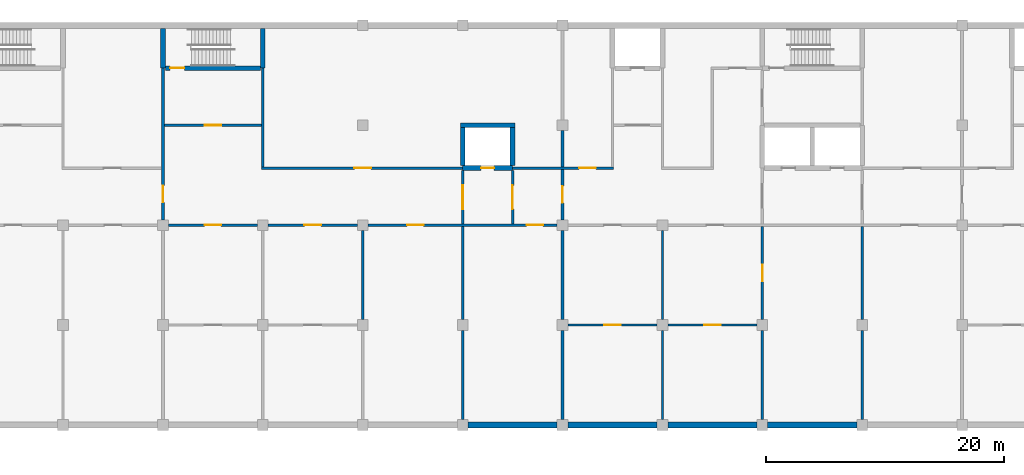
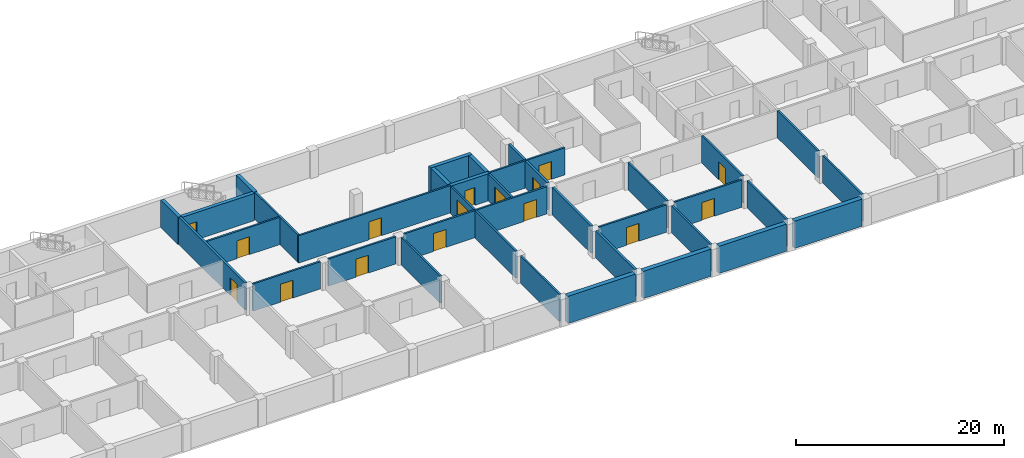
# One storey, part 4 of 12: 36 walls, 16 doors, 16 openings.
"""IFC4 building model written with IfcOpenShell, lengths in metres."""

from ifc_helpers import new_model, si_unit, direction, frame, frame_2d, origin, place, context, subcontext, project, spatial, rectangle, extrude, material, layer, layer_set, type_object, element, fill, save


model = new_model("IFC4")

# Units and contexts
model_context = context("Model", 3, precision=1e-05, world=origin(), true_north=direction((0.0, 1.0)))
body_context = subcontext(model_context, "Body", "Model", "MODEL_VIEW")
ifc_project = project(units=[si_unit("LENGTHUNIT", "METRE"), si_unit("AREAUNIT", "SQUARE_METRE"), si_unit("VOLUMEUNIT", "CUBIC_METRE"), si_unit("PLANEANGLEUNIT", "RADIAN"), si_unit("MASSUNIT", "GRAM", prefix="KILO")], contexts=[model_context])

# Site, building, storey
site_placement = place(None, origin())
site = spatial("IfcSite", under=ifc_project, at=site_placement, CompositionType="ELEMENT")
building_placement = place(site_placement, origin())
building = spatial("IfcBuilding", under=site, at=building_placement, Name="Yavir Park General Hospital", CompositionType="ELEMENT")
storey_placement = place(building_placement, frame((0.0, 0.0, -11.39990234375)))
storey = spatial("IfcBuildingStorey", under=building, at=storey_placement, Name="B3", CompositionType="ELEMENT", Elevation=-11.39990234375)

# Wall, opening, door
ifc_material_1 = material(Name="Concrete C30/37", Category="concrete")
ifc_layer_1 = layer(ifc_material_1, 0.25)
ifc_layer_set_1 = layer_set([ifc_layer_1], Name="Concrete C30/37")
wall_type_1 = type_object("IfcWallType", Name="Compartment fire wall 250, REI 150", PredefinedType="SOLIDWALL", material=ifc_layer_set_1)
wall_1_placement = place(storey_placement, frame((67.199951171875, 17.25, 0.0), z_axis=(0.0, 0.0, 1.0), x_axis=(0.0, 1.0, 0.0)))
wall_1 = element("IfcWall", 1, at=wall_1_placement, inside=storey, type_object=wall_type_1, Name="FW25 B3-088", PredefinedType="SOLIDWALL", context=body_context, shape_type="SweptSolid", body=[
    extrude(rectangle(XDim=12.75, YDim=0.25, at=frame_2d((6.375, 0.0))), origin(), (0.0, 0.0, 1.0), 3.199951171875),
])
opening_1_placement = place(wall_1_placement, frame((1.47509765625, 0.0, 0.0)))
opening_1 = element("IfcOpeningElement", 2, at=opening_1_placement, cuts=wall_1, Name="Opening B3.D061", PredefinedType="OPENING", context=body_context, shape_type="SweptSolid", body=[
    extrude(rectangle(XDim=1.39990234375, YDim=2.10009765625, at=frame_2d((0.699951171875, 1.050048828125))), frame((0.0, 0.135009765625, 0.0), z_axis=(0.0, -1.0, 0.0), x_axis=(1.0, 0.0, 0.0)), (0.0, 0.0, 1.0), 0.27001953125),
])
ifc_material_2 = material(Name="Steel frame, fire-resisting leaves with vision panels", Category="steel")
door_type_1 = type_object("IfcDoorType", Name="Double fire door with vision panels 1400 x 2100, EI 60", OperationType="DOUBLE_DOOR_SINGLE_SWING", PredefinedType="DOOR", material=ifc_material_2)
door_1_placement = place(opening_1_placement, origin())
door_1 = element("IfcDoor", 3, at=door_1_placement, inside=storey, type_object=door_type_1, Name="B3.D061", OperationType="SINGLE_SWING_LEFT", OverallHeight=2.10009765625, OverallWidth=1.39990234375, PredefinedType="DOOR", context=body_context, shape_type="SweptSolid", body=[
    extrude(rectangle(XDim=1.39990234375, YDim=2.10009765625, at=frame_2d((0.699951171875, 1.050048828125))), frame((0.0, 0.030029296875, 0.0), z_axis=(0.0, -1.0, 0.0), x_axis=(1.0, 0.0, 0.0)), (0.0, 0.0, 1.0), 0.06005859375),
])
fill(opening_1, door_1)

# Walls
for number, where, z_axis, x_axis, name in (
    (4, (100.800048828125, 0.449951171875, 0.0), (0.0, 0.0, 1.0), (0.0, 1.0, 0.0), "FW25 B3-102"),
    (5, (100.800048828125, 8.85009765625, 0.0), (0.0, 0.0, 1.0), (0.0, 1.0, 0.0), "FW25 B3-103"),
):
    element("IfcWall", number, at=place(storey_placement, frame(where, z_axis=z_axis, x_axis=x_axis)), inside=storey, type_object=wall_type_1, Name=name, PredefinedType="SOLIDWALL", context=body_context, shape_type="SweptSolid", body=[
        extrude(rectangle(XDim=7.5, YDim=0.25, at=frame_2d((3.75, 0.0))), origin(), (0.0, 0.0, 1.0), 3.199951171875),
    ])

# Wall, opening, door
wall_2_placement = place(storey_placement, frame((100.800048828125, 17.25, 0.0), z_axis=(0.0, 0.0, 1.0), x_axis=(0.0, 1.0, 0.0)))
wall_2 = element("IfcWall", 6, at=wall_2_placement, inside=storey, type_object=wall_type_1, Name="FW25 B3-104", PredefinedType="SOLIDWALL", context=body_context, shape_type="SweptSolid", body=[
    extrude(rectangle(XDim=4.25, YDim=0.25, at=frame_2d((2.125, 0.0))), origin(), (0.0, 0.0, 1.0), 3.199951171875),
])
opening_2_placement = place(wall_2_placement, frame((1.425048828125, 0.0, 0.0)))
opening_2 = element("IfcOpeningElement", 7, at=opening_2_placement, cuts=wall_2, Name="Opening B3.D064", PredefinedType="OPENING", context=body_context, shape_type="SweptSolid", body=[
    extrude(rectangle(XDim=1.39990234375, YDim=2.10009765625, at=frame_2d((0.699951171875, 1.050048828125))), frame((0.0, 0.135009765625, 0.0), z_axis=(0.0, -1.0, 0.0), x_axis=(1.0, 0.0, 0.0)), (0.0, 0.0, 1.0), 0.27001953125),
])
door_2_placement = place(opening_2_placement, origin())
door_2 = element("IfcDoor", 8, at=door_2_placement, inside=storey, type_object=door_type_1, Name="B3.D064", OperationType="SINGLE_SWING_LEFT", OverallHeight=2.10009765625, OverallWidth=1.39990234375, PredefinedType="DOOR", context=body_context, shape_type="SweptSolid", body=[
    extrude(rectangle(XDim=1.39990234375, YDim=2.10009765625, at=frame_2d((0.699951171875, 1.050048828125))), frame((0.0, 0.030029296875, 0.0), z_axis=(0.0, -1.0, 0.0), x_axis=(1.0, 0.0, 0.0)), (0.0, 0.0, 1.0), 0.06005859375),
])
fill(opening_2, door_2)

# Wall
wall_3_placement = place(storey_placement, frame((100.800048828125, 21.699951171875, 0.0), z_axis=(0.0, 0.0, 1.0), x_axis=(0.0, 1.0, 0.0)))
element("IfcWall", 9, at=wall_3_placement, inside=storey, type_object=wall_type_1, Name="FW25 B3-105", PredefinedType="SOLIDWALL", context=body_context, shape_type="SweptSolid", body=[
    extrude(rectangle(XDim=3.050048828125, YDim=0.25, at=frame_2d((1.52490234375, 0.0))), origin(), (0.0, 0.0, 1.0), 3.199951171875),
])

# Wall, opening, door
ifc_material_3 = material(Name="Double gypsum board fire partition on steel studs", Category="steel")
ifc_layer_2 = layer(ifc_material_3, 0.199951171875)
ifc_layer_set_2 = layer_set([ifc_layer_2], Name="Double gypsum board fire partition on steel studs")
wall_type_2 = type_object("IfcWallType", Name="Fire-rated partition 200, EI 60", PredefinedType="PARTITIONING", material=ifc_layer_set_2)
wall_4_placement = place(storey_placement, frame((101.25, 8.39990234375, 0.0), z_axis=(0.0, 0.0, 1.0), x_axis=(1.0, 0.0, 0.0)))
wall_4 = element("IfcWall", 10, at=wall_4_placement, inside=storey, type_object=wall_type_2, Name="FP20 B3-007", PredefinedType="PARTITIONING", context=body_context, shape_type="SweptSolid", body=[
    extrude(rectangle(XDim=7.5, YDim=0.199951171875, at=frame_2d((3.75, 0.0))), origin(), (0.0, 0.0, 1.0), 3.199951171875),
])
opening_3_placement = place(wall_4_placement, frame((3.050048828125, 0.0, 0.0)))
opening_3 = element("IfcOpeningElement", 11, at=opening_3_placement, cuts=wall_4, Name="Opening B3.D007", PredefinedType="OPENING", context=body_context, shape_type="SweptSolid", body=[
    extrude(rectangle(XDim=1.39990234375, YDim=2.10009765625, at=frame_2d((0.699951171875, 1.050048828125))), frame((0.0, 0.10986328125, 0.0), z_axis=(0.0, -1.0, 0.0), x_axis=(1.0, 0.0, 0.0)), (0.0, 0.0, 1.0), 0.219970703125),
])
ifc_material_4 = material(Name="Steel frame, fire-resisting timber leaves", Category="steel")
door_type_2 = type_object("IfcDoorType", Name="Double fire door 1400 x 2100, EI 60", OperationType="DOUBLE_DOOR_SINGLE_SWING", PredefinedType="DOOR", material=ifc_material_4)
door_3_placement = place(opening_3_placement, origin())
door_3 = element("IfcDoor", 12, at=door_3_placement, inside=storey, type_object=door_type_2, Name="B3.D007", OperationType="SINGLE_SWING_LEFT", OverallHeight=2.10009765625, OverallWidth=1.39990234375, PredefinedType="DOOR", context=body_context, shape_type="SweptSolid", body=[
    extrude(rectangle(XDim=1.39990234375, YDim=2.10009765625, at=frame_2d((0.699951171875, 1.050048828125))), frame((0.0, 0.02490234375, 0.0), z_axis=(0.0, -1.0, 0.0), x_axis=(1.0, 0.0, 0.0)), (0.0, 0.0, 1.0), 0.050048828125),
])
fill(opening_3, door_3)

wall_5_placement = place(storey_placement, frame((109.64990234375, 8.39990234375, 0.0), z_axis=(0.0, 0.0, 1.0), x_axis=(1.0, 0.0, 0.0)))
wall_5 = element("IfcWall", 13, at=wall_5_placement, inside=storey, type_object=wall_type_2, Name="FP20 B3-008", PredefinedType="PARTITIONING", context=body_context, shape_type="SweptSolid", body=[
    extrude(rectangle(XDim=7.5, YDim=0.199951171875, at=frame_2d((3.75, 0.0))), origin(), (0.0, 0.0, 1.0), 3.199951171875),
])
opening_4_placement = place(wall_5_placement, frame((3.050048828125, 0.0, 0.0)))
opening_4 = element("IfcOpeningElement", 14, at=opening_4_placement, cuts=wall_5, Name="Opening B3.D008", PredefinedType="OPENING", context=body_context, shape_type="SweptSolid", body=[
    extrude(rectangle(XDim=1.39990234375, YDim=2.10009765625, at=frame_2d((0.699951171875, 1.050048828125))), frame((0.0, 0.10986328125, 0.0), z_axis=(0.0, -1.0, 0.0), x_axis=(1.0, 0.0, 0.0)), (0.0, 0.0, 1.0), 0.219970703125),
])
door_4_placement = place(opening_4_placement, origin())
door_4 = element("IfcDoor", 15, at=door_4_placement, inside=storey, type_object=door_type_2, Name="B3.D008", OperationType="SINGLE_SWING_LEFT", OverallHeight=2.10009765625, OverallWidth=1.39990234375, PredefinedType="DOOR", context=body_context, shape_type="SweptSolid", body=[
    extrude(rectangle(XDim=1.39990234375, YDim=2.10009765625, at=frame_2d((0.699951171875, 1.050048828125))), frame((0.0, 0.02490234375, 0.0), z_axis=(0.0, -1.0, 0.0), x_axis=(1.0, 0.0, 0.0)), (0.0, 0.0, 1.0), 0.050048828125),
])
fill(opening_4, door_4)

wall_6_placement = place(storey_placement, frame((67.64990234375, 16.800048828125, 0.0), z_axis=(0.0, 0.0, 1.0), x_axis=(1.0, 0.0, 0.0)))
wall_6 = element("IfcWall", 16, at=wall_6_placement, inside=storey, type_object=wall_type_2, Name="FP20 B3-018", PredefinedType="PARTITIONING", context=body_context, shape_type="SweptSolid", body=[
    extrude(rectangle(XDim=7.5, YDim=0.199951171875, at=frame_2d((3.75, 0.0))), origin(), (0.0, 0.0, 1.0), 3.199951171875),
])
opening_5_placement = place(wall_6_placement, frame((3.050048828125, 0.0, 0.0)))
opening_5 = element("IfcOpeningElement", 17, at=opening_5_placement, cuts=wall_6, Name="Opening B3.D019", PredefinedType="OPENING", context=body_context, shape_type="SweptSolid", body=[
    extrude(rectangle(XDim=1.39990234375, YDim=2.10009765625, at=frame_2d((0.699951171875, 1.050048828125))), frame((0.0, 0.10986328125, 0.0), z_axis=(0.0, -1.0, 0.0), x_axis=(1.0, 0.0, 0.0)), (0.0, 0.0, 1.0), 0.219970703125),
])
door_5_placement = place(opening_5_placement, origin())
door_5 = element("IfcDoor", 18, at=door_5_placement, inside=storey, type_object=door_type_2, Name="B3.D019", OperationType="SINGLE_SWING_LEFT", OverallHeight=2.10009765625, OverallWidth=1.39990234375, PredefinedType="DOOR", context=body_context, shape_type="SweptSolid", body=[
    extrude(rectangle(XDim=1.39990234375, YDim=2.10009765625, at=frame_2d((0.699951171875, 1.050048828125))), frame((0.0, 0.02490234375, 0.0), z_axis=(0.0, -1.0, 0.0), x_axis=(1.0, 0.0, 0.0)), (0.0, 0.0, 1.0), 0.050048828125),
])
fill(opening_5, door_5)

wall_7_placement = place(storey_placement, frame((76.050048828125, 16.800048828125, 0.0), z_axis=(0.0, 0.0, 1.0), x_axis=(1.0, 0.0, 0.0)))
wall_7 = element("IfcWall", 19, at=wall_7_placement, inside=storey, type_object=wall_type_2, Name="FP20 B3-019", PredefinedType="PARTITIONING", context=body_context, shape_type="SweptSolid", body=[
    extrude(rectangle(XDim=7.5, YDim=0.199951171875, at=frame_2d((3.75, 0.0))), origin(), (0.0, 0.0, 1.0), 3.199951171875),
])
opening_6_placement = place(wall_7_placement, frame((3.050048828125, 0.0, 0.0)))
opening_6 = element("IfcOpeningElement", 20, at=opening_6_placement, cuts=wall_7, Name="Opening B3.D020", PredefinedType="OPENING", context=body_context, shape_type="SweptSolid", body=[
    extrude(rectangle(XDim=1.39990234375, YDim=2.10009765625, at=frame_2d((0.699951171875, 1.050048828125))), frame((0.0, 0.10986328125, 0.0), z_axis=(0.0, -1.0, 0.0), x_axis=(1.0, 0.0, 0.0)), (0.0, 0.0, 1.0), 0.219970703125),
])
door_6_placement = place(opening_6_placement, origin())
door_6 = element("IfcDoor", 21, at=door_6_placement, inside=storey, type_object=door_type_2, Name="B3.D020", OperationType="SINGLE_SWING_LEFT", OverallHeight=2.10009765625, OverallWidth=1.39990234375, PredefinedType="DOOR", context=body_context, shape_type="SweptSolid", body=[
    extrude(rectangle(XDim=1.39990234375, YDim=2.10009765625, at=frame_2d((0.699951171875, 1.050048828125))), frame((0.0, 0.02490234375, 0.0), z_axis=(0.0, -1.0, 0.0), x_axis=(1.0, 0.0, 0.0)), (0.0, 0.0, 1.0), 0.050048828125),
])
fill(opening_6, door_6)

# Wall, openings, doors
wall_8_placement = place(storey_placement, frame((84.449951171875, 16.800048828125, 0.0), z_axis=(0.0, 0.0, 1.0), x_axis=(1.0, 0.0, 0.0)))
wall_8 = element("IfcWall", 22, at=wall_8_placement, inside=storey, type_object=wall_type_2, Name="FP20 B3-020", PredefinedType="PARTITIONING", context=body_context, shape_type="SweptSolid", body=[
    extrude(rectangle(XDim=15.900146484375, YDim=0.199951171875, at=frame_2d((7.9501953125, 0.0))), origin(), (0.0, 0.0, 1.0), 3.199951171875),
])
opening_7_placement = place(wall_8_placement, frame((3.27490234375, 0.0, 0.0)))
opening_7 = element("IfcOpeningElement", 23, at=opening_7_placement, cuts=wall_8, Name="Opening B3.D021", PredefinedType="OPENING", context=body_context, shape_type="SweptSolid", body=[
    extrude(rectangle(XDim=1.39990234375, YDim=2.10009765625, at=frame_2d((0.699951171875, 1.050048828125))), frame((0.0, 0.10986328125, 0.0), z_axis=(0.0, -1.0, 0.0), x_axis=(1.0, 0.0, 0.0)), (0.0, 0.0, 1.0), 0.219970703125),
])
opening_8_placement = place(wall_8_placement, frame((13.324951171875, 0.0, 0.0)))
opening_8 = element("IfcOpeningElement", 24, at=opening_8_placement, cuts=wall_8, Name="Opening B3.D022", PredefinedType="OPENING", context=body_context, shape_type="SweptSolid", body=[
    extrude(rectangle(XDim=1.39990234375, YDim=2.10009765625, at=frame_2d((0.699951171875, 1.050048828125))), frame((0.0, 0.10986328125, 0.0), z_axis=(0.0, -1.0, 0.0), x_axis=(1.0, 0.0, 0.0)), (0.0, 0.0, 1.0), 0.219970703125),
])
door_7_placement = place(opening_7_placement, origin())
door_7 = element("IfcDoor", 25, at=door_7_placement, inside=storey, type_object=door_type_2, Name="B3.D021", OperationType="SINGLE_SWING_RIGHT", OverallHeight=2.10009765625, OverallWidth=1.39990234375, PredefinedType="DOOR", context=body_context, shape_type="SweptSolid", body=[
    extrude(rectangle(XDim=1.39990234375, YDim=2.10009765625, at=frame_2d((0.699951171875, 1.050048828125))), frame((0.0, 0.02490234375, 0.0), z_axis=(0.0, -1.0, 0.0), x_axis=(1.0, 0.0, 0.0)), (0.0, 0.0, 1.0), 0.050048828125),
])
fill(opening_7, door_7)
door_8_placement = place(opening_8_placement, origin())
door_8 = element("IfcDoor", 26, at=door_8_placement, inside=storey, type_object=door_type_2, Name="B3.D022", OperationType="SINGLE_SWING_RIGHT", OverallHeight=2.10009765625, OverallWidth=1.39990234375, PredefinedType="DOOR", context=body_context, shape_type="SweptSolid", body=[
    extrude(rectangle(XDim=1.39990234375, YDim=2.10009765625, at=frame_2d((0.699951171875, 1.050048828125))), frame((0.0, 0.02490234375, 0.0), z_axis=(0.0, -1.0, 0.0), x_axis=(1.0, 0.0, 0.0)), (0.0, 0.0, 1.0), 0.050048828125),
])
fill(opening_8, door_8)

# Wall, opening, door
wall_9_placement = place(storey_placement, frame((75.5, 21.60009765625, 0.0), z_axis=(0.0, 0.0, 1.0), x_axis=(1.0, 0.0, 0.0)))
wall_9 = element("IfcWall", 27, at=wall_9_placement, inside=storey, type_object=wall_type_2, Name="FP20 B3-031", PredefinedType="PARTITIONING", context=body_context, shape_type="SweptSolid", body=[
    extrude(rectangle(XDim=16.89990234375, YDim=0.199951171875, at=frame_2d((8.449951171875, 0.0))), origin(), (0.0, 0.0, 1.0), 3.199951171875),
])
opening_9_placement = place(wall_9_placement, frame((7.800048828125, 0.0, 0.0)))
opening_9 = element("IfcOpeningElement", 28, at=opening_9_placement, cuts=wall_9, Name="Opening B3.D035", PredefinedType="OPENING", context=body_context, shape_type="SweptSolid", body=[
    extrude(rectangle(XDim=1.39990234375, YDim=2.10009765625, at=frame_2d((0.699951171875, 1.050048828125))), frame((0.0, 0.10986328125, 0.0), z_axis=(0.0, -1.0, 0.0), x_axis=(1.0, 0.0, 0.0)), (0.0, 0.0, 1.0), 0.219970703125),
])
door_9_placement = place(opening_9_placement, origin())
door_9 = element("IfcDoor", 29, at=door_9_placement, inside=storey, type_object=door_type_2, Name="B3.D035", OperationType="SINGLE_SWING_RIGHT", OverallHeight=2.10009765625, OverallWidth=1.39990234375, PredefinedType="DOOR", context=body_context, shape_type="SweptSolid", body=[
    extrude(rectangle(XDim=1.39990234375, YDim=2.10009765625, at=frame_2d((0.699951171875, 1.050048828125))), frame((0.0, 0.02490234375, 0.0), z_axis=(0.0, -1.0, 0.0), x_axis=(1.0, 0.0, 0.0)), (0.0, 0.0, 1.0), 0.050048828125),
])
fill(opening_9, door_9)

wall_10_placement = place(storey_placement, frame((96.60009765625, 21.60009765625, 0.0), z_axis=(0.0, 0.0, 1.0), x_axis=(1.0, 0.0, 0.0)))
wall_10 = element("IfcWall", 30, at=wall_10_placement, inside=storey, type_object=wall_type_2, Name="FP20 B3-033", PredefinedType="PARTITIONING", context=body_context, shape_type="SweptSolid", body=[
    extrude(rectangle(XDim=8.5, YDim=0.199951171875, at=frame_2d((4.25, 0.0))), origin(), (0.0, 0.0, 1.0), 3.199951171875),
])
opening_10_placement = place(wall_10_placement, frame((5.60009765625, 0.0, 0.0)))
opening_10 = element("IfcOpeningElement", 31, at=opening_10_placement, cuts=wall_10, Name="Opening B3.D037", PredefinedType="OPENING", context=body_context, shape_type="SweptSolid", body=[
    extrude(rectangle(XDim=1.39990234375, YDim=2.10009765625, at=frame_2d((0.699951171875, 1.050048828125))), frame((0.0, 0.10986328125, 0.0), z_axis=(0.0, -1.0, 0.0), x_axis=(1.0, 0.0, 0.0)), (0.0, 0.0, 1.0), 0.219970703125),
])
door_10_placement = place(opening_10_placement, origin())
door_10 = element("IfcDoor", 32, at=door_10_placement, inside=storey, type_object=door_type_2, Name="B3.D037", OperationType="SINGLE_SWING_RIGHT", OverallHeight=2.10009765625, OverallWidth=1.39990234375, PredefinedType="DOOR", context=body_context, shape_type="SweptSolid", body=[
    extrude(rectangle(XDim=1.39990234375, YDim=2.10009765625, at=frame_2d((0.699951171875, 1.050048828125))), frame((0.0, 0.02490234375, 0.0), z_axis=(0.0, -1.0, 0.0), x_axis=(1.0, 0.0, 0.0)), (0.0, 0.0, 1.0), 0.050048828125),
])
fill(opening_10, door_10)

wall_11_placement = place(storey_placement, frame((67.324951171875, 25.199951171875, 0.0), z_axis=(0.0, 0.0, 1.0), x_axis=(1.0, 0.0, 0.0)))
wall_11 = element("IfcWall", 33, at=wall_11_placement, inside=storey, type_object=wall_type_2, Name="FP20 B3-042", PredefinedType="PARTITIONING", context=body_context, shape_type="SweptSolid", body=[
    extrude(rectangle(XDim=8.175048828125, YDim=0.199951171875, at=frame_2d((4.08740234375, 0.0))), origin(), (0.0, 0.0, 1.0), 3.199951171875),
])
opening_11_placement = place(wall_11_placement, frame((3.387451171875, 0.0, 0.0)))
opening_11 = element("IfcOpeningElement", 34, at=opening_11_placement, cuts=wall_11, Name="Opening B3.D045", PredefinedType="OPENING", context=body_context, shape_type="SweptSolid", body=[
    extrude(rectangle(XDim=1.39990234375, YDim=2.10009765625, at=frame_2d((0.699951171875, 1.050048828125))), frame((0.0, 0.10986328125, 0.0), z_axis=(0.0, -1.0, 0.0), x_axis=(1.0, 0.0, 0.0)), (0.0, 0.0, 1.0), 0.219970703125),
])
door_11_placement = place(opening_11_placement, origin())
door_11 = element("IfcDoor", 35, at=door_11_placement, inside=storey, type_object=door_type_1, Name="B3.D045", OperationType="SINGLE_SWING_RIGHT", OverallHeight=2.10009765625, OverallWidth=1.39990234375, PredefinedType="DOOR", context=body_context, shape_type="SweptSolid", body=[
    extrude(rectangle(XDim=1.39990234375, YDim=2.10009765625, at=frame_2d((0.699951171875, 1.050048828125))), frame((0.0, 0.030029296875, 0.0), z_axis=(0.0, -1.0, 0.0), x_axis=(1.0, 0.0, 0.0)), (0.0, 0.0, 1.0), 0.06005859375),
])
fill(opening_11, door_11)

# Walls
wall_12_placement = place(storey_placement, frame((75.60009765625, 21.699951171875, 0.0), z_axis=(0.0, 0.0, 1.0), x_axis=(0.0, 1.0, 0.0)))
element("IfcWall", 36, at=wall_12_placement, inside=storey, type_object=wall_type_2, Name="FP20 B3-092", PredefinedType="PARTITIONING", context=body_context, shape_type="SweptSolid", body=[
    extrude(rectangle(XDim=8.300048828125, YDim=0.199951171875, at=frame_2d((4.14990234375, 0.0))), origin(), (0.0, 0.0, 1.0), 3.199951171875),
])
for number, where, z_axis, x_axis, name in (
    (37, (84.0, 8.85009765625, 0.0), (0.0, 0.0, 1.0), (0.0, 1.0, 0.0), "FP20 B3-095"),
    (38, (92.39990234375, 0.449951171875, 0.0), (0.0, 0.0, 1.0), (0.0, 1.0, 0.0), "FP20 B3-096"),
):
    element("IfcWall", number, at=place(storey_placement, frame(where, z_axis=z_axis, x_axis=x_axis)), inside=storey, type_object=wall_type_2, Name=name, PredefinedType="PARTITIONING", context=body_context, shape_type="SweptSolid", body=[
        extrude(rectangle(XDim=7.5, YDim=0.199951171875, at=frame_2d((3.75, 0.0))), origin(), (0.0, 0.0, 1.0), 3.199951171875),
    ])
wall_13_placement = place(storey_placement, frame((92.39990234375, 8.85009765625, 0.0), z_axis=(0.0, 0.0, 1.0), x_axis=(0.0, 1.0, 0.0)))
element("IfcWall", 39, at=wall_13_placement, inside=storey, type_object=wall_type_2, Name="FP20 B3-097", PredefinedType="PARTITIONING", context=body_context, shape_type="SweptSolid", body=[
    extrude(rectangle(XDim=7.849853515625, YDim=0.199951171875, at=frame_2d((3.9248046875, 0.0))), origin(), (0.0, 0.0, 1.0), 3.199951171875),
])

# Wall, opening, door
wall_14_placement = place(storey_placement, frame((92.39990234375, 16.89990234375, 0.0), z_axis=(0.0, 0.0, 1.0), x_axis=(0.0, 1.0, 0.0)))
wall_14 = element("IfcWall", 40, at=wall_14_placement, inside=storey, type_object=wall_type_2, Name="FP20 B3-098", PredefinedType="PARTITIONING", context=body_context, shape_type="SweptSolid", body=[
    extrude(rectangle(XDim=4.5, YDim=0.199951171875, at=frame_2d((2.25, 0.0))), origin(), (0.0, 0.0, 1.0), 3.199951171875),
])
opening_12_placement = place(wall_14_placement, frame((1.25, 0.0, 0.0)))
opening_12 = element("IfcOpeningElement", 41, at=opening_12_placement, cuts=wall_14, Name="Opening B3.D062", PredefinedType="OPENING", context=body_context, shape_type="SweptSolid", body=[
    extrude(rectangle(XDim=2.0, YDim=2.39990234375, at=frame_2d((1.0, 1.199951171875))), frame((0.0, 0.10986328125, 0.0), z_axis=(0.0, -1.0, 0.0), x_axis=(1.0, 0.0, 0.0)), (0.0, 0.0, 1.0), 0.219970703125),
])
ifc_material_5 = material(Name="Steel frame, fire-resisting leaves with vision panels", Category="steel")
door_type_3 = type_object("IfcDoorType", Name="Double fire door with vision panels 2000 x 2400, EI 60", OperationType="DOUBLE_DOOR_SINGLE_SWING", PredefinedType="DOOR", material=ifc_material_5)
door_12_placement = place(opening_12_placement, origin())
door_12 = element("IfcDoor", 42, at=door_12_placement, inside=storey, type_object=door_type_3, Name="B3.D062", OperationType="SINGLE_SWING_RIGHT", OverallHeight=2.39990234375, OverallWidth=2.0, PredefinedType="DOOR", context=body_context, shape_type="SweptSolid", body=[
    extrude(rectangle(XDim=2.0, YDim=2.39990234375, at=frame_2d((1.0, 1.199951171875))), frame((0.0, 0.030029296875, 0.0), z_axis=(0.0, -1.0, 0.0), x_axis=(1.0, 0.0, 0.0)), (0.0, 0.0, 1.0), 0.06005859375),
])
fill(opening_12, door_12)

wall_15_placement = place(storey_placement, frame((96.60009765625, 16.89990234375, 0.0), z_axis=(0.0, 0.0, 1.0), x_axis=(0.0, 1.0, 0.0)))
wall_15 = element("IfcWall", 43, at=wall_15_placement, inside=storey, type_object=wall_type_2, Name="FP20 B3-100", PredefinedType="PARTITIONING", context=body_context, shape_type="SweptSolid", body=[
    extrude(rectangle(XDim=4.5, YDim=0.199951171875, at=frame_2d((2.25, 0.0))), origin(), (0.0, 0.0, 1.0), 3.199951171875),
])
opening_13_placement = place(wall_15_placement, frame((1.25, 0.0, 0.0)))
opening_13 = element("IfcOpeningElement", 44, at=opening_13_placement, cuts=wall_15, Name="Opening B3.D063", PredefinedType="OPENING", context=body_context, shape_type="SweptSolid", body=[
    extrude(rectangle(XDim=2.0, YDim=2.39990234375, at=frame_2d((1.0, 1.199951171875))), frame((0.0, 0.10986328125, 0.0), z_axis=(0.0, -1.0, 0.0), x_axis=(1.0, 0.0, 0.0)), (0.0, 0.0, 1.0), 0.219970703125),
])
door_13_placement = place(opening_13_placement, origin())
door_13 = element("IfcDoor", 45, at=door_13_placement, inside=storey, type_object=door_type_3, Name="B3.D063", OperationType="SINGLE_SWING_LEFT", OverallHeight=2.39990234375, OverallWidth=2.0, PredefinedType="DOOR", context=body_context, shape_type="SweptSolid", body=[
    extrude(rectangle(XDim=2.0, YDim=2.39990234375, at=frame_2d((1.0, 1.199951171875))), frame((0.0, 0.030029296875, 0.0), z_axis=(0.0, -1.0, 0.0), x_axis=(1.0, 0.0, 0.0)), (0.0, 0.0, 1.0), 0.06005859375),
])
fill(opening_13, door_13)

# Walls
for number, where, z_axis, x_axis, name in (
    (46, (109.199951171875, 0.449951171875, 0.0), (0.0, 0.0, 1.0), (0.0, 1.0, 0.0), "FP20 B3-109"),
    (47, (109.199951171875, 8.85009765625, 0.0), (0.0, 0.0, 1.0), (0.0, 1.0, 0.0), "FP20 B3-110"),
    (48, (117.60009765625, 0.449951171875, 0.0), (0.0, 0.0, 1.0), (0.0, 1.0, 0.0), "FP20 B3-114"),
):
    element("IfcWall", number, at=place(storey_placement, frame(where, z_axis=z_axis, x_axis=x_axis)), inside=storey, type_object=wall_type_2, Name=name, PredefinedType="PARTITIONING", context=body_context, shape_type="SweptSolid", body=[
        extrude(rectangle(XDim=7.5, YDim=0.199951171875, at=frame_2d((3.75, 0.0))), origin(), (0.0, 0.0, 1.0), 3.199951171875),
    ])

# Wall, opening, door
wall_16_placement = place(storey_placement, frame((117.60009765625, 8.85009765625, 0.0), z_axis=(0.0, 0.0, 1.0), x_axis=(0.0, 1.0, 0.0)))
wall_16 = element("IfcWall", 49, at=wall_16_placement, inside=storey, type_object=wall_type_2, Name="FP20 B3-115", PredefinedType="PARTITIONING", context=body_context, shape_type="SweptSolid", body=[
    extrude(rectangle(XDim=7.849853515625, YDim=0.199951171875, at=frame_2d((3.9248046875, 0.0))), origin(), (0.0, 0.0, 1.0), 3.199951171875),
])
opening_14_placement = place(wall_16_placement, frame((3.22509765625, 0.0, 0.0)))
opening_14 = element("IfcOpeningElement", 50, at=opening_14_placement, cuts=wall_16, Name="Opening B3.D065", PredefinedType="OPENING", context=body_context, shape_type="SweptSolid", body=[
    extrude(rectangle(XDim=1.39990234375, YDim=2.10009765625, at=frame_2d((0.699951171875, 1.050048828125))), frame((0.0, 0.10986328125, 0.0), z_axis=(0.0, -1.0, 0.0), x_axis=(1.0, 0.0, 0.0)), (0.0, 0.0, 1.0), 0.219970703125),
])
door_14_placement = place(opening_14_placement, origin())
door_14 = element("IfcDoor", 51, at=door_14_placement, inside=storey, type_object=door_type_2, Name="B3.D065", OperationType="SINGLE_SWING_LEFT", OverallHeight=2.10009765625, OverallWidth=1.39990234375, PredefinedType="DOOR", context=body_context, shape_type="SweptSolid", body=[
    extrude(rectangle(XDim=1.39990234375, YDim=2.10009765625, at=frame_2d((0.699951171875, 1.050048828125))), frame((0.0, 0.02490234375, 0.0), z_axis=(0.0, -1.0, 0.0), x_axis=(1.0, 0.0, 0.0)), (0.0, 0.0, 1.0), 0.050048828125),
])
fill(opening_14, door_14)

# Walls
wall_17_placement = place(storey_placement, frame((126.0, 0.449951171875, 0.0), z_axis=(0.0, 0.0, 1.0), x_axis=(0.0, 1.0, 0.0)))
element("IfcWall", 52, at=wall_17_placement, inside=storey, type_object=wall_type_2, Name="FP20 B3-121", PredefinedType="PARTITIONING", context=body_context, shape_type="SweptSolid", body=[
    extrude(rectangle(XDim=7.5, YDim=0.199951171875, at=frame_2d((3.75, 0.0))), origin(), (0.0, 0.0, 1.0), 3.199951171875),
])
wall_18_placement = place(storey_placement, frame((126.0, 8.85009765625, 0.0), z_axis=(0.0, 0.0, 1.0), x_axis=(0.0, 1.0, 0.0)))
element("IfcWall", 53, at=wall_18_placement, inside=storey, type_object=wall_type_2, Name="FP20 B3-122", PredefinedType="PARTITIONING", context=body_context, shape_type="SweptSolid", body=[
    extrude(rectangle(XDim=7.849853515625, YDim=0.199951171875, at=frame_2d((3.9248046875, 0.0))), origin(), (0.0, 0.0, 1.0), 3.199951171875),
])
ifc_material_6 = material(Name="Concrete C35/45", Category="concrete")
ifc_layer_3 = layer(ifc_material_6, 0.5)
ifc_layer_set_3 = layer_set([ifc_layer_3], Name="Concrete C35/45")
wall_type_3 = type_object("IfcWallType", Name="RC WALL RETAINING 500", PredefinedType="SOLIDWALL", material=ifc_layer_set_3)
for number, where, z_axis, x_axis, name in (
    (54, (92.85009765625, 0.0, 0.0), (0.0, 0.0, 1.0), (1.0, 0.0, 0.0), "W:RET:B3:S11"),
    (55, (101.25, 0.0, 0.0), (0.0, 0.0, 1.0), (1.0, 0.0, 0.0), "W:RET:B3:S12"),
    (56, (109.64990234375, 0.0, 0.0), (0.0, 0.0, 1.0), (1.0, 0.0, 0.0), "W:RET:B3:S13"),
    (57, (118.050048828125, 0.0, 0.0), (0.0, 0.0, 1.0), (1.0, 0.0, 0.0), "W:RET:B3:S14"),
):
    element("IfcWall", number, at=place(storey_placement, frame(where, z_axis=z_axis, x_axis=x_axis)), inside=storey, type_object=wall_type_3, Name=name, PredefinedType="SOLIDWALL", context=body_context, shape_type="SweptSolid", body=[
        extrude(rectangle(XDim=7.5, YDim=0.5, at=frame_2d((3.75, 0.0))), origin(), (0.0, 0.0, 1.0), 3.199951171875),
    ])

# Wall, opening, door
ifc_material_7 = material(Name="Concrete C35/45", Category="concrete")
ifc_layer_4 = layer(ifc_material_7, 0.39990234375)
ifc_layer_set_4 = layer_set([ifc_layer_4], Name="Concrete C35/45")
wall_type_4 = type_object("IfcWallType", Name="Reinforced concrete core wall 400, REI 150", PredefinedType="SHEAR", material=ifc_layer_set_4)
wall_19_placement = place(storey_placement, frame((92.39990234375, 21.60009765625, 0.0), z_axis=(0.0, 0.0, 1.0), x_axis=(1.0, 0.0, 0.0)))
wall_19 = element("IfcWall", 58, at=wall_19_placement, inside=storey, type_object=wall_type_4, Name="CW40 B3-032", PredefinedType="SHEAR", context=body_context, shape_type="SweptSolid", body=[
    extrude(rectangle(XDim=4.2001953125, YDim=0.39990234375, at=frame_2d((2.10009765625, 0.0))), origin(), (0.0, 0.0, 1.0), 3.199951171875),
])
opening_15_placement = place(wall_19_placement, frame((1.550048828125, 0.0, 0.0)))
opening_15 = element("IfcOpeningElement", 59, at=opening_15_placement, cuts=wall_19, Name="Opening B3.D036", PredefinedType="OPENING", context=body_context, shape_type="SweptSolid", body=[
    extrude(rectangle(XDim=1.10009765625, YDim=2.10009765625, at=frame_2d((0.550048828125, 1.050048828125))), frame((0.0, 0.2099609375, 0.0), z_axis=(0.0, -1.0, 0.0), x_axis=(1.0, 0.0, 0.0)), (0.0, 0.0, 1.0), 0.419921875),
])
ifc_material_8 = material(Name="Stainless steel landing door panels", Category="steel")
door_type_4 = type_object("IfcDoorType", Name="Lift landing door 1100 x 2100, EI 60", OperationType="SLIDING_TO_LEFT", PredefinedType="DOOR", material=ifc_material_8)
door_15_placement = place(opening_15_placement, origin())
door_15 = element("IfcDoor", 60, at=door_15_placement, inside=storey, type_object=door_type_4, Name="B3.D036", OperationType="SLIDING_TO_LEFT", OverallHeight=2.10009765625, OverallWidth=1.10009765625, PredefinedType="DOOR", context=body_context, shape_type="SweptSolid", body=[
    extrude(rectangle(XDim=1.10009765625, YDim=2.10009765625, at=frame_2d((0.550048828125, 1.050048828125))), frame((0.0, 0.02490234375, 0.0), z_axis=(0.0, -1.0, 0.0), x_axis=(1.0, 0.0, 0.0)), (0.0, 0.0, 1.0), 0.050048828125),
])
fill(opening_15, door_15)

# Wall
wall_20_placement = place(storey_placement, frame((92.199951171875, 25.199951171875, 0.0), z_axis=(0.0, 0.0, 1.0), x_axis=(1.0, 0.0, 0.0)))
element("IfcWall", 61, at=wall_20_placement, inside=storey, type_object=wall_type_4, Name="CW40 B3-043", PredefinedType="SHEAR", context=body_context, shape_type="SweptSolid", body=[
    extrude(rectangle(XDim=4.60009765625, YDim=0.39990234375, at=frame_2d((2.300048828125, 0.0))), origin(), (0.0, 0.0, 1.0), 3.199951171875),
])

# Wall, opening, door
wall_21_placement = place(storey_placement, frame((67.39990234375, 30.0, 0.0), z_axis=(0.0, 0.0, 1.0), x_axis=(1.0, 0.0, 0.0)))
wall_21 = element("IfcWall", 62, at=wall_21_placement, inside=storey, type_object=wall_type_4, Name="CW40 B3-050", PredefinedType="SHEAR", context=body_context, shape_type="SweptSolid", body=[
    extrude(rectangle(XDim=8.0, YDim=0.39990234375, at=frame_2d((4.0, 0.0))), origin(), (0.0, 0.0, 1.0), 3.199951171875),
])
opening_16_placement = place(wall_21_placement, frame((0.39990234375, 0.0, 0.0)))
opening_16 = element("IfcOpeningElement", 63, at=opening_16_placement, cuts=wall_21, Name="Opening B3.D051", PredefinedType="OPENING", context=body_context, shape_type="SweptSolid", body=[
    extrude(rectangle(XDim=1.199951171875, YDim=2.10009765625, at=frame_2d((0.60009765625, 1.050048828125))), frame((0.0, 0.2099609375, 0.0), z_axis=(0.0, -1.0, 0.0), x_axis=(1.0, 0.0, 0.0)), (0.0, 0.0, 1.0), 0.419921875),
])
ifc_material_9 = material(Name="Steel frame, fire-resisting timber leaf", Category="steel")
door_type_5 = type_object("IfcDoorType", Name="Fire door 1200 x 2100, EI 60", OperationType="SINGLE_SWING_LEFT", PredefinedType="DOOR", material=ifc_material_9)
door_16_placement = place(opening_16_placement, origin())
door_16 = element("IfcDoor", 64, at=door_16_placement, inside=storey, type_object=door_type_5, Name="B3.D051", OperationType="SINGLE_SWING_RIGHT", OverallHeight=2.10009765625, OverallWidth=1.199951171875, PredefinedType="DOOR", context=body_context, shape_type="SweptSolid", body=[
    extrude(rectangle(XDim=1.199951171875, YDim=2.10009765625, at=frame_2d((0.60009765625, 1.050048828125))), frame((0.0, 0.02490234375, 0.0), z_axis=(0.0, -1.0, 0.0), x_axis=(1.0, 0.0, 0.0)), (0.0, 0.0, 1.0), 0.050048828125),
])
fill(opening_16, door_16)

# Walls
for number, where, z_axis, x_axis, name in (
    (65, (67.199951171875, 30.0, 0.0), (0.0, 0.0, 1.0), (0.0, 1.0, 0.0), "CW40 B3-089"),
    (66, (75.60009765625, 30.0, 0.0), (0.0, 0.0, 1.0), (0.0, 1.0, 0.0), "CW40 B3-093"),
):
    element("IfcWall", number, at=place(storey_placement, frame(where, z_axis=z_axis, x_axis=x_axis)), inside=storey, type_object=wall_type_4, Name=name, PredefinedType="SHEAR", context=body_context, shape_type="SweptSolid", body=[
        extrude(rectangle(XDim=3.35009765625, YDim=0.39990234375, at=frame_2d((1.675048828125, 0.0))), origin(), (0.0, 0.0, 1.0), 3.199951171875),
    ])
for number, where, z_axis, x_axis, name in (
    (67, (92.39990234375, 21.800048828125, 0.0), (0.0, 0.0, 1.0), (0.0, 1.0, 0.0), "CW40 B3-099"),
    (68, (96.60009765625, 21.800048828125, 0.0), (0.0, 0.0, 1.0), (0.0, 1.0, 0.0), "CW40 B3-101"),
):
    element("IfcWall", number, at=place(storey_placement, frame(where, z_axis=z_axis, x_axis=x_axis)), inside=storey, type_object=wall_type_4, Name=name, PredefinedType="SHEAR", context=body_context, shape_type="SweptSolid", body=[
        extrude(rectangle(XDim=3.199951171875, YDim=0.39990234375, at=frame_2d((1.60009765625, 0.0))), origin(), (0.0, 0.0, 1.0), 3.199951171875),
    ])

save(model, "model.ifc")
